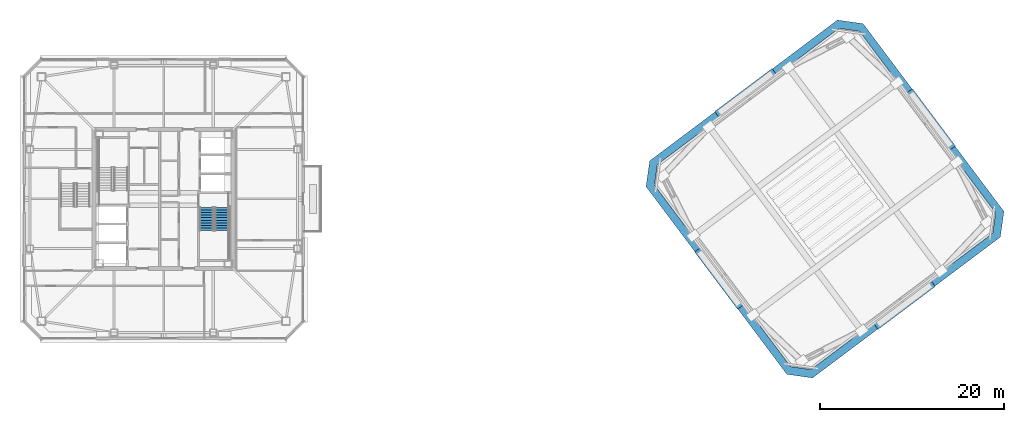
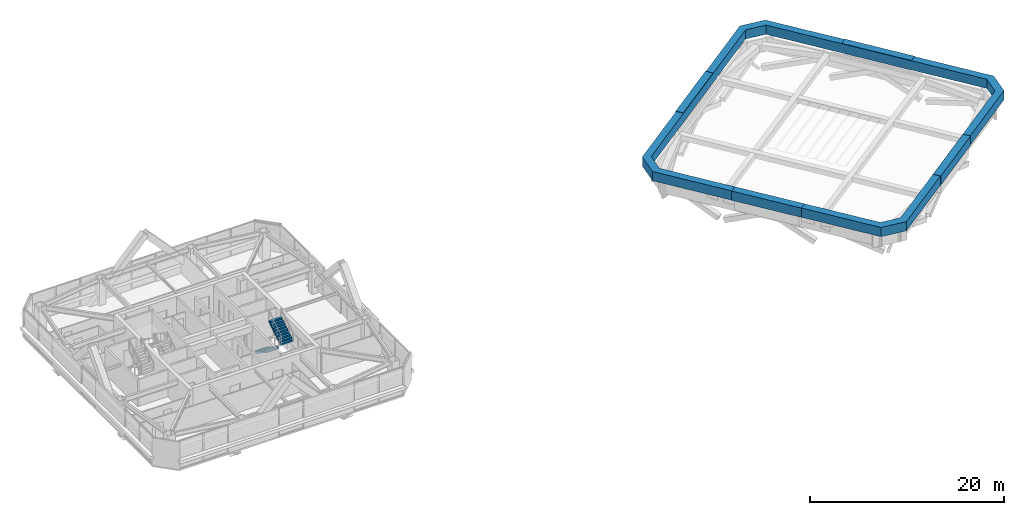
# One storey, part 21 of 24: 5 roofs, 2 stair flights, 1 element without a shape of its own.
"""IFC4 building model written with IfcOpenShell, lengths in metres."""

from ifc_helpers import new_model, si_unit, direction, frame, origin, origin_2d, place, context, subcontext, project, spatial, polyline, rectangle, outline, extrude, material, layer, layer_set, type_object, element, aggregate, save


model = new_model("IFC4")

# Units and contexts
model_context = context("Model", 3, precision=1e-05, world=origin(), true_north=direction((0.0, 1.0)))
body_context = subcontext(model_context, "Body", "Model", "MODEL_VIEW")
ifc_project = project(units=[si_unit("LENGTHUNIT", "METRE"), si_unit("AREAUNIT", "SQUARE_METRE"), si_unit("VOLUMEUNIT", "CUBIC_METRE"), si_unit("PLANEANGLEUNIT", "RADIAN"), si_unit("MASSUNIT", "GRAM", prefix="KILO")], contexts=[model_context])

# Site, building, storey
site_placement = place(None, origin())
site = spatial("IfcSite", under=ifc_project, at=site_placement, CompositionType="ELEMENT")
building_placement = place(site_placement, origin())
building = spatial("IfcBuilding", under=site, at=building_placement, Name="Tashvorn Skyway Center", CompositionType="ELEMENT")
storey_placement = place(building_placement, frame((0.0, 0.0, 270.5)))
storey = spatial("IfcBuildingStorey", under=building, at=storey_placement, Name="L73", CompositionType="ELEMENT", Elevation=270.5)

# Stair, stair flights
ifc_material_1 = material(Name="Concrete C40/50", Category="concrete")
stair_type = type_object("IfcStairType", Name="STAIR-CORE-1500", PredefinedType="HALF_TURN_STAIR", material=ifc_material_1)
stair_placement = place(storey_placement, origin())
stair = element("IfcStair", 1, at=stair_placement, inside=storey, type_object=stair_type, Name="L73 Tower 1 Exit Stair 2", PredefinedType="HALF_TURN_STAIR")
stair_flight_type = type_object("IfcStairFlightType", Name="SFLIGHT-1500", PredefinedType="STRAIGHT", material=ifc_material_1)
stair_flight_1_placement = place(storey_placement, frame((46.64990234375, 31.080078125, 0.0), z_axis=(0.0, 0.0, 1.0), x_axis=(0.0, -1.0, 0.0)))
stair_flight_1 = element("IfcStairFlight", 2, at=stair_flight_1_placement, type_object=stair_flight_type, Name="ST-T1-2 flight 1", NumberOfRisers=10, NumberOfTreads=9, PredefinedType="STRAIGHT", RiserHeight=0.1775, TreadLength=0.28, context=body_context, shape_type="SweptSolid", body=[
    extrude(outline(polyline([(0.0, 0.0), (0.0, 0.177490234375), (0.280029296875, 0.177490234375), (0.280029296875, 0.35498046875), (0.56005859375, 0.35498046875), (0.56005859375, 0.532470703125), (0.840087890625, 0.532470703125), (0.840087890625, 0.7099609375), (1.1201171875, 0.7099609375), (1.1201171875, 0.887451171875), (1.39990234375, 0.887451171875), (1.39990234375, 1.06494140625), (1.679931640625, 1.06494140625), (1.679931640625, 1.242431640625), (1.9599609375, 1.242431640625), (1.9599609375, 1.419921875), (2.239990234375, 1.419921875), (2.239990234375, 1.597412109375), (2.52001953125, 1.597412109375), (2.52001953125, 1.77490234375), (2.52001953125, 1.419921875), (0.280029296875, 0.0), (0.0, 0.0)])), frame((0.0, 0.75, 0.0), z_axis=(0.0, -1.0, 0.0), x_axis=(1.0, 0.0, 0.0)), (0.0, 0.0, 1.0), 1.5),
])
stair_flight_2_placement = place(storey_placement, frame((48.35009765625, 28.56005859375, 1.77490234375), z_axis=(0.0, 0.0, 1.0), x_axis=(0.0, 1.0, 0.0)))
stair_flight_2 = element("IfcStairFlight", 3, at=stair_flight_2_placement, type_object=stair_flight_type, Name="ST-T1-2 flight 2", NumberOfRisers=10, NumberOfTreads=9, PredefinedType="STRAIGHT", RiserHeight=0.1775, TreadLength=0.28, context=body_context, shape_type="SweptSolid", body=[
    extrude(outline(polyline([(0.0, 0.0), (0.0, 0.177490234375), (0.280029296875, 0.177490234375), (0.280029296875, 0.35498046875), (0.56005859375, 0.35498046875), (0.56005859375, 0.532470703125), (0.840087890625, 0.532470703125), (0.840087890625, 0.7099609375), (1.1201171875, 0.7099609375), (1.1201171875, 0.887451171875), (1.39990234375, 0.887451171875), (1.39990234375, 1.06494140625), (1.679931640625, 1.06494140625), (1.679931640625, 1.242431640625), (1.9599609375, 1.242431640625), (1.9599609375, 1.419921875), (2.239990234375, 1.419921875), (2.239990234375, 1.597412109375), (2.52001953125, 1.597412109375), (2.52001953125, 1.77490234375), (2.52001953125, 1.419921875), (0.280029296875, 0.0), (0.0, 0.0)])), frame((0.0, 0.75, 0.0), z_axis=(0.0, -1.0, 0.0), x_axis=(1.0, 0.0, 0.0)), (0.0, 0.0, 1.0), 1.5),
])
aggregate(stair, [stair_flight_1, stair_flight_2])

# Roofs
ifc_material_2 = material(Name="Architectural glazed Mojave terracotta roof and cornice system", Category="masonry")
ifc_layer = layer(ifc_material_2, 0.360107421875)
ifc_layer_set = layer_set([ifc_layer], Name="Architectural glazed Mojave terracotta roof and cornice system")
roof_type = type_object("IfcRoofType", Name="ROOF-PM-CORNICE", PredefinedType="GABLE_ROOF", material=ifc_layer_set)
for number, where, z_axis, x_axis, name in (
    (4, (122.639892578125, 20.47998046875, 3.14013671875), (0.0, 0.0, 1.0), (0.799999996291, 0.600000004945, 0.0), "CROWN Postmodern Terracotta Crest T2 S"),
    (5, (125.52001953125, 40.639892578125, 3.14013671875), (0.0, 0.0, 1.0), (-0.600000004945, 0.799999996291, 0.0), "CROWN Postmodern Terracotta Crest T2 E"),
    (6, (105.360107421875, 43.52001953125, 3.14013671875), (0.0, 0.0, 1.0), (-0.799999996291, -0.600000004945, 0.0), "CROWN Postmodern Terracotta Crest T2 N"),
    (7, (102.47998046875, 23.360107421875, 3.14013671875), (0.0, 0.0, 1.0), (0.600000004945, -0.799999996291, 0.0), "CROWN Postmodern Terracotta Crest T2 W"),
):
    element("IfcRoof", number, at=place(storey_placement, frame(where, z_axis=z_axis, x_axis=x_axis)), inside=storey, type_object=roof_type, Name=name, PredefinedType="GABLE_ROOF", context=body_context, shape_type="SweptSolid", body=[
        extrude(rectangle(XDim=7.800048828125, YDim=0.85009765625, at=origin_2d()), origin(), (0.0, 0.0, 1.0), 1.159912109375),
    ])
roof_placement = place(storey_placement, frame((0.0, 0.0, 3.1201171875)))
element("IfcRoof", 8, at=roof_placement, inside=storey, type_object=roof_type, Name="CROWN Postmodern Stepped Octagonal Terracotta Cornice T2", PredefinedType="GABLE_ROOF", context=body_context, shape_type="SweptSolid", body=[
    extrude(outline(polyline([(112.64501953125, 12.514892578125), (133.0849609375, 27.844970703125), (133.485107421875, 30.64501953125), (118.155029296875, 51.0849609375), (115.35498046875, 51.485107421875), (94.9150390625, 36.155029296875), (94.514892578125, 33.35498046875), (109.844970703125, 12.9150390625), (112.64501953125, 12.514892578125)]), holes=[polyline([(112.489990234375, 13.429931640625), (132.25, 28.25), (132.570068359375, 30.489990234375), (117.75, 50.25), (115.510009765625, 50.570068359375), (95.75, 35.75), (95.429931640625, 33.510009765625), (110.25, 13.75), (112.489990234375, 13.429931640625)])]), origin(), (0.0, 0.0, 1.0), 1.159912109375),
])

save(model, "model.ifc")
